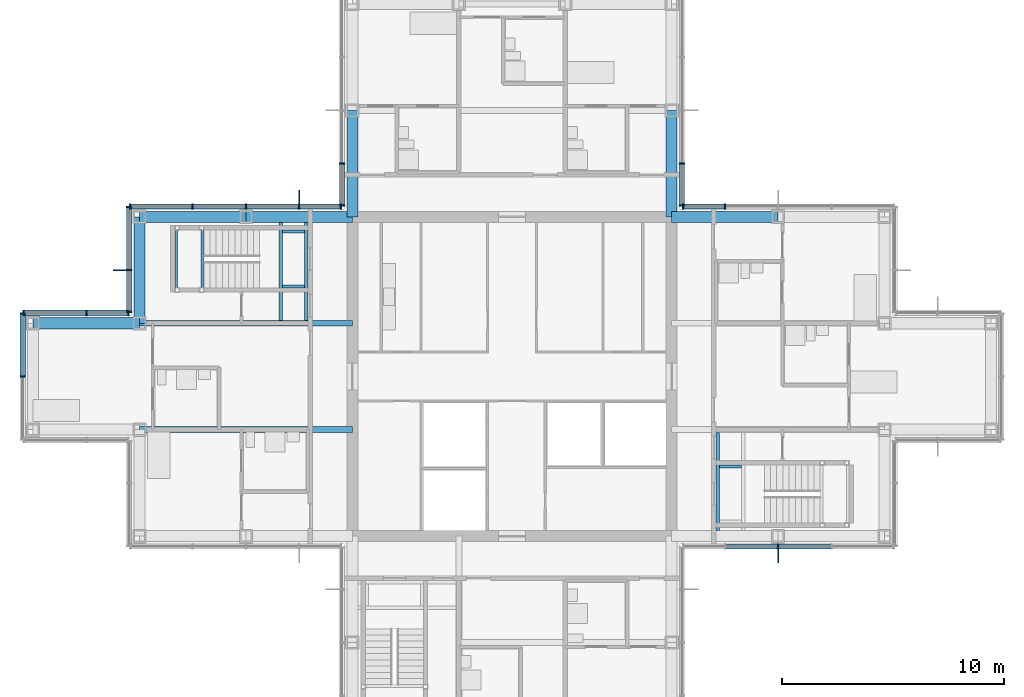
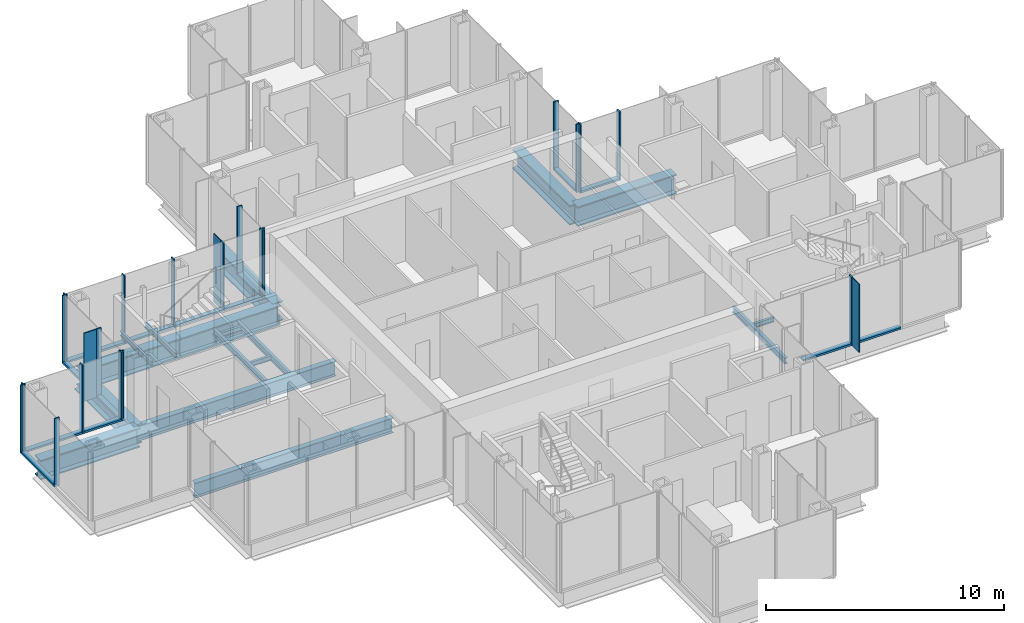
# One storey, part 7 of 17: 37 members, 17 beams, 8 elements without a shape of their own.
"""IFC4 building model written with IfcOpenShell, lengths in metres."""

from ifc_helpers import new_model, si_unit, direction, frame, origin, origin_2d, place, context, subcontext, project, spatial, rectangle, i_section, extrude, material, material_profile, profile_set, type_object, element, aggregate, save


model = new_model("IFC4")

# Units and contexts
model_context = context("Model", 3, precision=1e-05, world=origin(), true_north=direction((0.0, 1.0)))
body_context = subcontext(model_context, "Body", "Model", "MODEL_VIEW")
ifc_project = project(units=[si_unit("LENGTHUNIT", "METRE"), si_unit("AREAUNIT", "SQUARE_METRE"), si_unit("VOLUMEUNIT", "CUBIC_METRE"), si_unit("PLANEANGLEUNIT", "RADIAN"), si_unit("MASSUNIT", "GRAM", prefix="KILO")], contexts=[model_context])

# Site, building, storey
site_placement = place(None, origin())
site = spatial("IfcSite", under=ifc_project, at=site_placement, CompositionType="ELEMENT")
building_placement = place(site_placement, origin())
building = spatial("IfcBuilding", under=site, at=building_placement, Name="Kvirike Care Tower", CompositionType="ELEMENT")
storey_placement = place(building_placement, frame((0.0, 0.0, 179.5)))
storey = spatial("IfcBuildingStorey", under=building, at=storey_placement, Name="L49", CompositionType="ELEMENT", Elevation=179.5)

# Curtain wall, member
ifc_material_1 = material(Name="Anodised aluminium stick system", Category="aluminium")
curtain_wall_type = type_object("IfcCurtainWallType", Name="CW-C STICK CURTAIN WALL", PredefinedType="NOTDEFINED", material=ifc_material_1)
curtain_wall_1_placement = place(storey_placement, origin())
curtain_wall_1 = element("IfcCurtainWall", 1, at=curtain_wall_1_placement, inside=storey, type_object=curtain_wall_type, Name="Curtain wall L49 face 1", PredefinedType="NOTDEFINED")
ifc_material_2 = material(Name="Bronze anodised aluminium fin", Category="aluminium")
ifc_material_profile_1 = material_profile(ifc_material_2, rectangle(XDim=0.050048828125, YDim=0.60009765625, at=origin_2d()), Name="BRONZE FIN 600")
ifc_profile_set_1 = profile_set([ifc_material_profile_1], Name="Bronze anodised aluminium fin")
member_type_1 = type_object("IfcMemberType", Name="BRONZE FIN 600", PredefinedType="USERDEFINED", material=ifc_profile_set_1)
member_1_placement = place(storey_placement, frame((33.60009765625, 27.909912109375, 0.0), z_axis=(0.0, 0.0, 1.0), x_axis=(1.0, 0.0, 0.0)))
member_1 = element("IfcMember", 2, at=member_1_placement, type_object=member_type_1, Name="Bronze fin L49 face 1.3", ObjectType="FIN", PredefinedType="USERDEFINED", context=body_context, shape_type="SweptSolid", body=[
    extrude(rectangle(XDim=0.050048828125, YDim=0.60009765625, at=origin_2d()), origin(), (0.0, 0.0, 1.0), 3.5),
])

curtain_wall_2_placement = place(storey_placement, origin())
curtain_wall_2 = element("IfcCurtainWall", 3, at=curtain_wall_2_placement, inside=storey, type_object=curtain_wall_type, Name="Curtain wall L49 face 15", PredefinedType="NOTDEFINED")
member_2_placement = place(storey_placement, frame((12.0, 44.090087890625, 0.0), z_axis=(0.0, 0.0, 1.0), x_axis=(-1.0, 0.0, 0.0)))
member_2 = element("IfcMember", 4, at=member_2_placement, type_object=member_type_1, Name="Bronze fin L49 face 15.2", ObjectType="FIN", PredefinedType="USERDEFINED", context=body_context, shape_type="SweptSolid", body=[
    extrude(rectangle(XDim=0.050048828125, YDim=0.60009765625, at=origin_2d()), origin(), (0.0, 0.0, 1.0), 3.5),
])

curtain_wall_3_placement = place(storey_placement, origin())
curtain_wall_3 = element("IfcCurtainWall", 5, at=curtain_wall_3_placement, inside=storey, type_object=curtain_wall_type, Name="Curtain wall L49 face 16", PredefinedType="NOTDEFINED")
member_3_placement = place(storey_placement, frame((3.909912109375, 40.800048828125, 0.0), z_axis=(0.0, 0.0, 1.0), x_axis=(0.0, -1.0, 0.0)))
member_3 = element("IfcMember", 6, at=member_3_placement, type_object=member_type_1, Name="Bronze fin L49 face 16.2", ObjectType="FIN", PredefinedType="USERDEFINED", context=body_context, shape_type="SweptSolid", body=[
    extrude(rectangle(XDim=0.050048828125, YDim=0.60009765625, at=origin_2d()), origin(), (0.0, 0.0, 1.0), 3.5),
])

# Member
ifc_material_3 = material(Name="Bronze anodised aluminium mullion", Category="aluminium")
ifc_material_profile_2 = material_profile(ifc_material_3, rectangle(XDim=0.06494140625, YDim=0.239990234375, at=origin_2d()), Name="CW-C MULLION 65x240")
ifc_profile_set_2 = profile_set([ifc_material_profile_2], Name="Bronze anodised aluminium mullion")
member_type_2 = type_object("IfcMemberType", Name="CW-C MULLION 65x240", PredefinedType="MULLION", material=ifc_profile_set_2)
member_4_placement = place(storey_placement, frame((33.60009765625, 28.330078125, 0.0), z_axis=(0.0, 0.0, 1.0), x_axis=(1.0, 0.0, 0.0)))
member_4 = element("IfcMember", 7, at=member_4_placement, type_object=member_type_2, Name="CW-C mullion L49 face 1.3", PredefinedType="MULLION", context=body_context, shape_type="SweptSolid", body=[
    extrude(rectangle(XDim=0.06494140625, YDim=0.239990234375, at=origin_2d()), origin(), (0.0, 0.0, 1.0), 3.5),
])

# Curtain wall, members
curtain_wall_4_placement = place(storey_placement, origin())
curtain_wall_4 = element("IfcCurtainWall", 8, at=curtain_wall_4_placement, inside=storey, type_object=curtain_wall_type, Name="Curtain wall L49 face 7", PredefinedType="NOTDEFINED")
member_5_placement = place(storey_placement, frame((31.199951171875, 43.669921875, 0.0), z_axis=(0.0, 0.0, 1.0), x_axis=(-1.0, 0.0, 0.0)))
member_5 = element("IfcMember", 9, at=member_5_placement, type_object=member_type_2, Name="CW-C mullion L49 face 7.4", PredefinedType="MULLION", context=body_context, shape_type="SweptSolid", body=[
    extrude(rectangle(XDim=0.06494140625, YDim=0.239990234375, at=origin_2d()), origin(), (0.0, 0.0, 1.0), 3.5),
])
member_6_placement = place(storey_placement, frame((29.302490234375, 43.669921875, 0.0), z_axis=(0.0, 0.0, 1.0), x_axis=(-1.0, 0.0, 0.0)))
member_6 = element("IfcMember", 10, at=member_6_placement, type_object=member_type_2, Name="CW-C mullion L49 face 7.5", PredefinedType="MULLION", context=body_context, shape_type="SweptSolid", body=[
    extrude(rectangle(XDim=0.06494140625, YDim=0.239990234375, at=origin_2d()), origin(), (0.0, 0.0, 1.0), 3.5),
])

curtain_wall_5_placement = place(storey_placement, origin())
curtain_wall_5 = element("IfcCurtainWall", 11, at=curtain_wall_5_placement, inside=storey, type_object=curtain_wall_type, Name="Curtain wall L49 face 8", PredefinedType="NOTDEFINED")
member_7_placement = place(storey_placement, frame((29.27001953125, 43.702392578125, 0.0), z_axis=(0.0, 0.0, 1.0), x_axis=(0.0, 1.0, 0.0)))
member_7 = element("IfcMember", 12, at=member_7_placement, type_object=member_type_2, Name="CW-C mullion L49 face 8.1", PredefinedType="MULLION", context=body_context, shape_type="SweptSolid", body=[
    extrude(rectangle(XDim=0.06494140625, YDim=0.239990234375, at=origin_2d()), origin(), (0.0, 0.0, 1.0), 3.5),
])
member_8_placement = place(storey_placement, frame((29.27001953125, 45.60009765625, 0.0), z_axis=(0.0, 0.0, 1.0), x_axis=(0.0, 1.0, 0.0)))
member_8 = element("IfcMember", 13, at=member_8_placement, type_object=member_type_2, Name="CW-C mullion L49 face 8.2", PredefinedType="MULLION", context=body_context, shape_type="SweptSolid", body=[
    extrude(rectangle(XDim=0.06494140625, YDim=0.239990234375, at=origin_2d()), origin(), (0.0, 0.0, 1.0), 3.5),
])

curtain_wall_6_placement = place(storey_placement, origin())
curtain_wall_6 = element("IfcCurtainWall", 14, at=curtain_wall_6_placement, inside=storey, type_object=curtain_wall_type, Name="Curtain wall L49 face 14", PredefinedType="NOTDEFINED")
member_9_placement = place(storey_placement, frame((13.929931640625, 45.60009765625, 0.0), z_axis=(0.0, 0.0, 1.0), x_axis=(0.0, -1.0, 0.0)))
member_9 = element("IfcMember", 15, at=member_9_placement, type_object=member_type_2, Name="CW-C mullion L49 face 14.4", PredefinedType="MULLION", context=body_context, shape_type="SweptSolid", body=[
    extrude(rectangle(XDim=0.06494140625, YDim=0.239990234375, at=origin_2d()), origin(), (0.0, 0.0, 1.0), 3.5),
])
member_10_placement = place(storey_placement, frame((13.929931640625, 43.702392578125, 0.0), z_axis=(0.0, 0.0, 1.0), x_axis=(0.0, -1.0, 0.0)))
member_10 = element("IfcMember", 16, at=member_10_placement, type_object=member_type_2, Name="CW-C mullion L49 face 14.5", PredefinedType="MULLION", context=body_context, shape_type="SweptSolid", body=[
    extrude(rectangle(XDim=0.06494140625, YDim=0.239990234375, at=origin_2d()), origin(), (0.0, 0.0, 1.0), 3.5),
])

# Member
member_11_placement = place(storey_placement, frame((13.8974609375, 43.669921875, 0.0), z_axis=(0.0, 0.0, 1.0), x_axis=(-1.0, 0.0, 0.0)))
member_11 = element("IfcMember", 17, at=member_11_placement, type_object=member_type_2, Name="CW-C mullion L49 face 15.1", PredefinedType="MULLION", context=body_context, shape_type="SweptSolid", body=[
    extrude(rectangle(XDim=0.06494140625, YDim=0.239990234375, at=origin_2d()), origin(), (0.0, 0.0, 1.0), 3.5),
])

member_12_placement = place(storey_placement, frame((12.0, 43.669921875, 0.0), z_axis=(0.0, 0.0, 1.0), x_axis=(-1.0, 0.0, 0.0)))
member_12 = element("IfcMember", 18, at=member_12_placement, type_object=member_type_2, Name="CW-C mullion L49 face 15.2", PredefinedType="MULLION", context=body_context, shape_type="SweptSolid", body=[
    extrude(rectangle(XDim=0.06494140625, YDim=0.239990234375, at=origin_2d()), origin(), (0.0, 0.0, 1.0), 3.5),
])

member_13_placement = place(storey_placement, frame((9.60009765625, 43.669921875, 0.0), z_axis=(0.0, 0.0, 1.0), x_axis=(-1.0, 0.0, 0.0)))
member_13 = element("IfcMember", 19, at=member_13_placement, type_object=member_type_2, Name="CW-C mullion L49 face 15.3", PredefinedType="MULLION", context=body_context, shape_type="SweptSolid", body=[
    extrude(rectangle(XDim=0.06494140625, YDim=0.239990234375, at=origin_2d()), origin(), (0.0, 0.0, 1.0), 3.5),
])

member_14_placement = place(storey_placement, frame((7.199951171875, 43.669921875, 0.0), z_axis=(0.0, 0.0, 1.0), x_axis=(-1.0, 0.0, 0.0)))
member_14 = element("IfcMember", 20, at=member_14_placement, type_object=member_type_2, Name="CW-C mullion L49 face 15.4", PredefinedType="MULLION", context=body_context, shape_type="SweptSolid", body=[
    extrude(rectangle(XDim=0.06494140625, YDim=0.239990234375, at=origin_2d()), origin(), (0.0, 0.0, 1.0), 3.5),
])

member_15_placement = place(storey_placement, frame((4.362548828125, 43.669921875, 0.0), z_axis=(0.0, 0.0, 1.0), x_axis=(-1.0, 0.0, 0.0)))
member_15 = element("IfcMember", 21, at=member_15_placement, type_object=member_type_2, Name="CW-C mullion L49 face 15.5", PredefinedType="MULLION", context=body_context, shape_type="SweptSolid", body=[
    extrude(rectangle(XDim=0.06494140625, YDim=0.239990234375, at=origin_2d()), origin(), (0.0, 0.0, 1.0), 3.5),
])

member_16_placement = place(storey_placement, frame((4.330078125, 43.637451171875, 0.0), z_axis=(0.0, 0.0, 1.0), x_axis=(0.0, -1.0, 0.0)))
member_16 = element("IfcMember", 22, at=member_16_placement, type_object=member_type_2, Name="CW-C mullion L49 face 16.1", PredefinedType="MULLION", context=body_context, shape_type="SweptSolid", body=[
    extrude(rectangle(XDim=0.06494140625, YDim=0.239990234375, at=origin_2d()), origin(), (0.0, 0.0, 1.0), 3.5),
])

member_17_placement = place(storey_placement, frame((4.330078125, 40.800048828125, 0.0), z_axis=(0.0, 0.0, 1.0), x_axis=(0.0, -1.0, 0.0)))
member_17 = element("IfcMember", 23, at=member_17_placement, type_object=member_type_2, Name="CW-C mullion L49 face 16.2", PredefinedType="MULLION", context=body_context, shape_type="SweptSolid", body=[
    extrude(rectangle(XDim=0.06494140625, YDim=0.239990234375, at=origin_2d()), origin(), (0.0, 0.0, 1.0), 3.5),
])

member_18_placement = place(storey_placement, frame((4.330078125, 38.902587890625, 0.0), z_axis=(0.0, 0.0, 1.0), x_axis=(0.0, -1.0, 0.0)))
member_18 = element("IfcMember", 24, at=member_18_placement, type_object=member_type_2, Name="CW-C mullion L49 face 16.3", PredefinedType="MULLION", context=body_context, shape_type="SweptSolid", body=[
    extrude(rectangle(XDim=0.06494140625, YDim=0.239990234375, at=origin_2d()), origin(), (0.0, 0.0, 1.0), 3.5),
])

# Curtain wall, members
curtain_wall_7_placement = place(storey_placement, origin())
curtain_wall_7 = element("IfcCurtainWall", 25, at=curtain_wall_7_placement, inside=storey, type_object=curtain_wall_type, Name="Curtain wall L49 face 17", PredefinedType="NOTDEFINED")
member_19_placement = place(storey_placement, frame((4.297607421875, 38.8701171875, 0.0), z_axis=(0.0, 0.0, 1.0), x_axis=(-1.0, 0.0, 0.0)))
member_19 = element("IfcMember", 26, at=member_19_placement, type_object=member_type_2, Name="CW-C mullion L49 face 17.1", PredefinedType="MULLION", context=body_context, shape_type="SweptSolid", body=[
    extrude(rectangle(XDim=0.06494140625, YDim=0.239990234375, at=origin_2d()), origin(), (0.0, 0.0, 1.0), 3.5),
])
member_20_placement = place(storey_placement, frame((2.39990234375, 38.8701171875, 0.0), z_axis=(0.0, 0.0, 1.0), x_axis=(-1.0, 0.0, 0.0)))
member_20 = element("IfcMember", 27, at=member_20_placement, type_object=member_type_2, Name="CW-C mullion L49 face 17.2", PredefinedType="MULLION", context=body_context, shape_type="SweptSolid", body=[
    extrude(rectangle(XDim=0.06494140625, YDim=0.239990234375, at=origin_2d()), origin(), (0.0, 0.0, 1.0), 3.5),
])
member_21_placement = place(storey_placement, frame((-0.4375, 38.8701171875, 0.0), z_axis=(0.0, 0.0, 1.0), x_axis=(-1.0, 0.0, 0.0)))
member_21 = element("IfcMember", 28, at=member_21_placement, type_object=member_type_2, Name="CW-C mullion L49 face 17.3", PredefinedType="MULLION", context=body_context, shape_type="SweptSolid", body=[
    extrude(rectangle(XDim=0.06494140625, YDim=0.239990234375, at=origin_2d()), origin(), (0.0, 0.0, 1.0), 3.5),
])

curtain_wall_8_placement = place(storey_placement, origin())
curtain_wall_8 = element("IfcCurtainWall", 29, at=curtain_wall_8_placement, inside=storey, type_object=curtain_wall_type, Name="Curtain wall L49 face 18", PredefinedType="NOTDEFINED")
member_22_placement = place(storey_placement, frame((-0.469970703125, 38.83740234375, 0.0), z_axis=(0.0, 0.0, 1.0), x_axis=(0.0, -1.0, 0.0)))
member_22 = element("IfcMember", 30, at=member_22_placement, type_object=member_type_2, Name="CW-C mullion L49 face 18.1", PredefinedType="MULLION", context=body_context, shape_type="SweptSolid", body=[
    extrude(rectangle(XDim=0.06494140625, YDim=0.239990234375, at=origin_2d()), origin(), (0.0, 0.0, 1.0), 3.5),
])
member_23_placement = place(storey_placement, frame((-0.469970703125, 36.0, 0.0), z_axis=(0.0, 0.0, 1.0), x_axis=(0.0, -1.0, 0.0)))
member_23 = element("IfcMember", 31, at=member_23_placement, type_object=member_type_2, Name="CW-C mullion L49 face 18.2", PredefinedType="MULLION", context=body_context, shape_type="SweptSolid", body=[
    extrude(rectangle(XDim=0.06494140625, YDim=0.239990234375, at=origin_2d()), origin(), (0.0, 0.0, 1.0), 3.5),
])

# Member
ifc_material_4 = material(Name="Bronze anodised aluminium transom", Category="aluminium")
ifc_material_profile_3 = material_profile(ifc_material_4, rectangle(XDim=0.239990234375, YDim=0.10009765625, at=origin_2d()), Name="CW-C TRANSOM 240x100")
ifc_profile_set_3 = profile_set([ifc_material_profile_3], Name="Bronze anodised aluminium transom")
member_type_3 = type_object("IfcMemberType", Name="CW-C TRANSOM 240x100", PredefinedType="USERDEFINED", material=ifc_profile_set_3)
member_24_placement = place(storey_placement, frame((31.232421875, 28.330078125, 0.050048828125), z_axis=(1.0, 0.0, 0.0), x_axis=(0.0, 1.0, 0.0)))
member_24 = element("IfcMember", 32, at=member_24_placement, type_object=member_type_3, Name="CW-C sill transom L49 face 1.2", ObjectType="TRANSOM", PredefinedType="USERDEFINED", context=body_context, shape_type="SweptSolid", body=[
    extrude(rectangle(XDim=0.239990234375, YDim=0.10009765625, at=origin_2d()), origin(), (0.0, 0.0, 1.0), 2.3349609375),
])

member_25_placement = place(storey_placement, frame((33.632568359375, 28.330078125, 0.050048828125), z_axis=(1.0, 0.0, 0.0), x_axis=(0.0, 1.0, 0.0)))
member_25 = element("IfcMember", 33, at=member_25_placement, type_object=member_type_3, Name="CW-C sill transom L49 face 1.3", ObjectType="TRANSOM", PredefinedType="USERDEFINED", context=body_context, shape_type="SweptSolid", body=[
    extrude(rectangle(XDim=0.239990234375, YDim=0.10009765625, at=origin_2d()), origin(), (0.0, 0.0, 1.0), 2.3349609375),
])

aggregate(curtain_wall_1, [member_4, member_1, member_24, member_25])

member_26_placement = place(storey_placement, frame((31.16748046875, 43.669921875, 0.050048828125), z_axis=(-1.0, 0.0, 0.0), x_axis=(0.0, -1.0, 0.0)))
member_26 = element("IfcMember", 34, at=member_26_placement, type_object=member_type_3, Name="CW-C sill transom L49 face 7.4", ObjectType="TRANSOM", PredefinedType="USERDEFINED", context=body_context, shape_type="SweptSolid", body=[
    extrude(rectangle(XDim=0.239990234375, YDim=0.10009765625, at=origin_2d()), origin(), (0.0, 0.0, 1.0), 1.83251953125),
])

aggregate(curtain_wall_4, [member_5, member_6, member_26])

member_27_placement = place(storey_placement, frame((29.27001953125, 43.735107421875, 0.050048828125), z_axis=(0.0, 1.0, 0.0), x_axis=(-1.0, 0.0, 0.0)))
member_27 = element("IfcMember", 35, at=member_27_placement, type_object=member_type_3, Name="CW-C sill transom L49 face 8.1", ObjectType="TRANSOM", PredefinedType="USERDEFINED", context=body_context, shape_type="SweptSolid", body=[
    extrude(rectangle(XDim=0.239990234375, YDim=0.10009765625, at=origin_2d()), origin(), (0.0, 0.0, 1.0), 1.832275390625),
])

aggregate(curtain_wall_5, [member_7, member_8, member_27])

member_28_placement = place(storey_placement, frame((13.929931640625, 45.5673828125, 0.050048828125), z_axis=(0.0, -1.0, 0.0), x_axis=(1.0, 0.0, 0.0)))
member_28 = element("IfcMember", 36, at=member_28_placement, type_object=member_type_3, Name="CW-C sill transom L49 face 14.4", ObjectType="TRANSOM", PredefinedType="USERDEFINED", context=body_context, shape_type="SweptSolid", body=[
    extrude(rectangle(XDim=0.239990234375, YDim=0.10009765625, at=origin_2d()), origin(), (0.0, 0.0, 1.0), 1.832275390625),
])

aggregate(curtain_wall_6, [member_9, member_10, member_28])

member_29_placement = place(storey_placement, frame((13.864990234375, 43.669921875, 0.050048828125), z_axis=(-1.0, 0.0, 0.0), x_axis=(0.0, -1.0, 0.0)))
member_29 = element("IfcMember", 37, at=member_29_placement, type_object=member_type_3, Name="CW-C sill transom L49 face 15.1", ObjectType="TRANSOM", PredefinedType="USERDEFINED", context=body_context, shape_type="SweptSolid", body=[
    extrude(rectangle(XDim=0.239990234375, YDim=0.10009765625, at=origin_2d()), origin(), (0.0, 0.0, 1.0), 1.83251953125),
])

member_30_placement = place(storey_placement, frame((11.967529296875, 43.669921875, 0.050048828125), z_axis=(-1.0, 0.0, 0.0), x_axis=(0.0, -1.0, 0.0)))
member_30 = element("IfcMember", 38, at=member_30_placement, type_object=member_type_3, Name="CW-C sill transom L49 face 15.2", ObjectType="TRANSOM", PredefinedType="USERDEFINED", context=body_context, shape_type="SweptSolid", body=[
    extrude(rectangle(XDim=0.239990234375, YDim=0.10009765625, at=origin_2d()), origin(), (0.0, 0.0, 1.0), 2.3349609375),
])

member_31_placement = place(storey_placement, frame((9.5673828125, 43.669921875, 0.050048828125), z_axis=(-1.0, 0.0, 0.0), x_axis=(0.0, -1.0, 0.0)))
member_31 = element("IfcMember", 39, at=member_31_placement, type_object=member_type_3, Name="CW-C sill transom L49 face 15.3", ObjectType="TRANSOM", PredefinedType="USERDEFINED", context=body_context, shape_type="SweptSolid", body=[
    extrude(rectangle(XDim=0.239990234375, YDim=0.10009765625, at=origin_2d()), origin(), (0.0, 0.0, 1.0), 2.3349609375),
])

member_32_placement = place(storey_placement, frame((7.16748046875, 43.669921875, 0.050048828125), z_axis=(-1.0, 0.0, 0.0), x_axis=(0.0, -1.0, 0.0)))
member_32 = element("IfcMember", 40, at=member_32_placement, type_object=member_type_3, Name="CW-C sill transom L49 face 15.4", ObjectType="TRANSOM", PredefinedType="USERDEFINED", context=body_context, shape_type="SweptSolid", body=[
    extrude(rectangle(XDim=0.239990234375, YDim=0.10009765625, at=origin_2d()), origin(), (0.0, 0.0, 1.0), 2.7724609375),
])

aggregate(curtain_wall_2, [member_11, member_12, member_2, member_13, member_14, member_15, member_29, member_30, member_31, member_32])

member_33_placement = place(storey_placement, frame((4.330078125, 43.60498046875, 0.050048828125), z_axis=(0.0, -1.0, 0.0), x_axis=(1.0, 0.0, 0.0)))
member_33 = element("IfcMember", 41, at=member_33_placement, type_object=member_type_3, Name="CW-C sill transom L49 face 16.1", ObjectType="TRANSOM", PredefinedType="USERDEFINED", context=body_context, shape_type="SweptSolid", body=[
    extrude(rectangle(XDim=0.239990234375, YDim=0.10009765625, at=origin_2d()), origin(), (0.0, 0.0, 1.0), 2.7724609375),
])

member_34_placement = place(storey_placement, frame((4.330078125, 40.767578125, 0.050048828125), z_axis=(0.0, -1.0, 0.0), x_axis=(1.0, 0.0, 0.0)))
member_34 = element("IfcMember", 42, at=member_34_placement, type_object=member_type_3, Name="CW-C sill transom L49 face 16.2", ObjectType="TRANSOM", PredefinedType="USERDEFINED", context=body_context, shape_type="SweptSolid", body=[
    extrude(rectangle(XDim=0.239990234375, YDim=0.10009765625, at=origin_2d()), origin(), (0.0, 0.0, 1.0), 1.83251953125),
])

aggregate(curtain_wall_3, [member_16, member_17, member_3, member_18, member_33, member_34])

member_35_placement = place(storey_placement, frame((4.264892578125, 38.8701171875, 0.050048828125), z_axis=(-1.0, 0.0, 0.0), x_axis=(0.0, -1.0, 0.0)))
member_35 = element("IfcMember", 43, at=member_35_placement, type_object=member_type_3, Name="CW-C sill transom L49 face 17.1", ObjectType="TRANSOM", PredefinedType="USERDEFINED", context=body_context, shape_type="SweptSolid", body=[
    extrude(rectangle(XDim=0.239990234375, YDim=0.10009765625, at=origin_2d()), origin(), (0.0, 0.0, 1.0), 1.832275390625),
])

member_36_placement = place(storey_placement, frame((2.367431640625, 38.8701171875, 0.050048828125), z_axis=(-1.0, 0.0, 0.0), x_axis=(0.0, -1.0, 0.0)))
member_36 = element("IfcMember", 44, at=member_36_placement, type_object=member_type_3, Name="CW-C sill transom L49 face 17.2", ObjectType="TRANSOM", PredefinedType="USERDEFINED", context=body_context, shape_type="SweptSolid", body=[
    extrude(rectangle(XDim=0.239990234375, YDim=0.10009765625, at=origin_2d()), origin(), (0.0, 0.0, 1.0), 2.7724609375),
])

aggregate(curtain_wall_7, [member_19, member_20, member_21, member_35, member_36])

member_37_placement = place(storey_placement, frame((-0.469970703125, 38.804931640625, 0.050048828125), z_axis=(0.0, -1.0, 0.0), x_axis=(1.0, 0.0, 0.0)))
member_37 = element("IfcMember", 45, at=member_37_placement, type_object=member_type_3, Name="CW-C sill transom L49 face 18.1", ObjectType="TRANSOM", PredefinedType="USERDEFINED", context=body_context, shape_type="SweptSolid", body=[
    extrude(rectangle(XDim=0.239990234375, YDim=0.10009765625, at=origin_2d()), origin(), (0.0, 0.0, 1.0), 2.7724609375),
])

aggregate(curtain_wall_8, [member_22, member_23, member_37])

# Beams
ifc_material_5 = material(Name="Steel S355", Category="steel")
ifc_material_profile_4 = material_profile(ifc_material_5, i_section(OverallWidth=0.26806640625, OverallDepth=0.77001953125, WebThickness=0.015625, FlangeThickness=0.025390625, FilletRadius=0.01708984375, at=origin_2d()), Name="IPE 750x196")
ifc_profile_set_4 = profile_set([ifc_material_profile_4], Name="Steel S355")
beam_type_1 = type_object("IfcBeamType", Name="FLOOR BEAM IPE 750x196", PredefinedType="BEAM", material=ifc_profile_set_4)
for number, where, z_axis, x_axis, name in (
    (46, (4.800048828125, 33.60009765625, -0.554931640625), (1.0, 0.0, 0.0), (0.0, 1.0, 0.0), "Floor Beam H4-H6 L49"),
    (47, (4.800048828125, 38.39990234375, -0.554931640625), (1.0, 0.0, 0.0), (0.0, 1.0, 0.0), "Floor Beam J4-J6 L49"),
):
    element("IfcBeam", number, at=place(storey_placement, frame(where, z_axis=z_axis, x_axis=x_axis)), inside=storey, type_object=beam_type_1, Name=name, PredefinedType="BEAM", context=body_context, shape_type="SweptSolid", body=[
        extrude(i_section(OverallWidth=0.26806640625, OverallDepth=0.77001953125, WebThickness=0.015625, FlangeThickness=0.025390625, FilletRadius=0.01708984375, at=origin_2d()), origin(), (0.0, 0.0, 1.0), 9.599853515625),
    ])
ifc_material_6 = material(Name="Steel S355", Category="steel")
ifc_material_profile_5 = material_profile(ifc_material_6, i_section(OverallWidth=0.5, OverallDepth=1.0, WebThickness=0.030029296875, FlangeThickness=0.06005859375, at=origin_2d()), Name="PG 1000x500x30x60")
ifc_profile_set_5 = profile_set([ifc_material_profile_5], Name="Steel S355")
beam_type_2 = type_object("IfcBeamType", Name="SPANDREL PG 1000x500x30x60", PredefinedType="SPANDREL", material=ifc_profile_set_5)
for number, where, z_axis, x_axis, name in (
    (48, (0.0, 38.39990234375, -0.669921875), (1.0, 0.0, 0.0), (0.0, 1.0, 0.0), "Spandrel J3-J4 L49"),
    (49, (4.800048828125, 43.199951171875, -0.669921875), (1.0, 0.0, 0.0), (0.0, 1.0, 0.0), "Spandrel K4-K5 L49"),
):
    element("IfcBeam", number, at=place(storey_placement, frame(where, z_axis=z_axis, x_axis=x_axis)), inside=storey, type_object=beam_type_2, Name=name, PredefinedType="SPANDREL", context=body_context, shape_type="SweptSolid", body=[
        extrude(i_section(OverallWidth=0.5, OverallDepth=1.0, WebThickness=0.030029296875, FlangeThickness=0.06005859375, at=origin_2d()), origin(), (0.0, 0.0, 1.0), 4.800048828125),
    ])
beam_placement = place(storey_placement, frame((9.60009765625, 43.199951171875, -0.669921875), z_axis=(1.0, 0.0, 0.0), x_axis=(0.0, 1.0, 0.0)))
element("IfcBeam", 50, at=beam_placement, inside=storey, type_object=beam_type_2, Name="Spandrel K5-K6 L49", PredefinedType="SPANDREL", context=body_context, shape_type="SweptSolid", body=[
    extrude(i_section(OverallWidth=0.5, OverallDepth=1.0, WebThickness=0.030029296875, FlangeThickness=0.06005859375, at=origin_2d()), origin(), (0.0, 0.0, 1.0), 4.7998046875),
])
for number, where, z_axis, x_axis, name in (
    (51, (28.800048828125, 43.199951171875, -0.669921875), (1.0, 0.0, 0.0), (0.0, 1.0, 0.0), "Spandrel K9-K10 L49"),
    (52, (4.800048828125, 38.39990234375, -0.669921875), (0.0, 1.0, 0.0), (-1.0, 0.0, 0.0), "Spandrel J4-K4 L49"),
    (53, (14.39990234375, 43.199951171875, -0.669921875), (0.0, 1.0, 0.0), (-1.0, 0.0, 0.0), "Spandrel K6-L6 L49"),
    (54, (28.800048828125, 43.199951171875, -0.669921875), (0.0, 1.0, 0.0), (-1.0, 0.0, 0.0), "Spandrel K9-L9 L49"),
):
    element("IfcBeam", number, at=place(storey_placement, frame(where, z_axis=z_axis, x_axis=x_axis)), inside=storey, type_object=beam_type_2, Name=name, PredefinedType="SPANDREL", context=body_context, shape_type="SweptSolid", body=[
        extrude(i_section(OverallWidth=0.5, OverallDepth=1.0, WebThickness=0.030029296875, FlangeThickness=0.06005859375, at=origin_2d()), origin(), (0.0, 0.0, 1.0), 4.800048828125),
    ])
ifc_material_7 = material(Name="Steel S355", Category="steel")
ifc_material_profile_6 = material_profile(ifc_material_7, i_section(OverallWidth=0.1201171875, OverallDepth=0.239990234375, WebThickness=0.006103515625, FlangeThickness=0.009765625, FilletRadius=0.014892578125, at=origin_2d()), Name="IPE 240")
ifc_profile_set_6 = profile_set([ifc_material_profile_6], Name="Steel S355")
beam_type_3 = type_object("IfcBeamType", Name="STAIR LANDING BEAM IPE 240", PredefinedType="BEAM", material=ifc_profile_set_6)
for number, where, z_axis, x_axis, name in (
    (55, (6.4599609375, 42.60009765625, 1.429931640625), (0.0, -1.0, 0.0), (1.0, 0.0, 0.0), "Stair 1 landing beam back L49"),
    (56, (7.639892578125, 42.60009765625, 1.429931640625), (0.0, -1.0, 0.0), (1.0, 0.0, 0.0), "Stair 1 landing beam front L49"),
):
    element("IfcBeam", number, at=place(storey_placement, frame(where, z_axis=z_axis, x_axis=x_axis)), inside=storey, type_object=beam_type_3, Name=name, PredefinedType="BEAM", context=body_context, shape_type="SweptSolid", body=[
        extrude(i_section(OverallWidth=0.1201171875, OverallDepth=0.239990234375, WebThickness=0.006103515625, FlangeThickness=0.009765625, FilletRadius=0.014892578125, at=origin_2d()), origin(), (0.0, 0.0, 1.0), 2.60009765625),
    ])
for number, where, z_axis, x_axis, name in (
    (57, (11.25, 42.5400390625, -0.320068359375), (1.0, 0.0, 0.0), (0.0, 1.0, 0.0), "Stair 1 landing edge beam 1 L49"),
    (58, (11.25, 40.06005859375, -0.320068359375), (1.0, 0.0, 0.0), (0.0, 1.0, 0.0), "Stair 1 landing edge beam 2 L49"),
    (59, (31.949951171875, 31.93994140625, -0.320068359375), (-1.0, 0.0, 0.0), (0.0, -1.0, 0.0), "Stair 2 landing edge beam 2 L49"),
):
    element("IfcBeam", number, at=place(storey_placement, frame(where, z_axis=z_axis, x_axis=x_axis)), inside=storey, type_object=beam_type_3, Name=name, PredefinedType="BEAM", context=body_context, shape_type="SweptSolid", body=[
        extrude(i_section(OverallWidth=0.1201171875, OverallDepth=0.239990234375, WebThickness=0.006103515625, FlangeThickness=0.009765625, FilletRadius=0.014892578125, at=origin_2d()), origin(), (0.0, 0.0, 1.0), 1.0),
    ])
ifc_material_8 = material(Name="Steel S355", Category="steel")
ifc_material_profile_7 = material_profile(ifc_material_8, i_section(OverallWidth=0.14990234375, OverallDepth=0.300048828125, WebThickness=0.007080078125, FlangeThickness=0.0107421875, FilletRadius=0.014892578125, at=origin_2d()), Name="IPE 300")
ifc_profile_set_7 = profile_set([ifc_material_profile_7], Name="Steel S355")
beam_type_4 = type_object("IfcBeamType", Name="STAIR TRIMMER IPE 300", PredefinedType="BEAM", material=ifc_profile_set_7)
for number, where, z_axis, x_axis, name in (
    (60, (11.175048828125, 42.949951171875, -0.35009765625), (0.0, -1.0, 0.0), (1.0, 0.0, 0.0), "Stair 1 trimmer 1 L49"),
    (61, (12.324951171875, 42.949951171875, -0.35009765625), (0.0, -1.0, 0.0), (1.0, 0.0, 0.0), "Stair 1 trimmer 2 L49"),
    (62, (30.875, 29.050048828125, -0.35009765625), (0.0, 1.0, 0.0), (-1.0, 0.0, 0.0), "Stair 2 trimmer 2 L49"),
):
    element("IfcBeam", number, at=place(storey_placement, frame(where, z_axis=z_axis, x_axis=x_axis)), inside=storey, type_object=beam_type_4, Name=name, PredefinedType="BEAM", context=body_context, shape_type="SweptSolid", body=[
        extrude(i_section(OverallWidth=0.14990234375, OverallDepth=0.300048828125, WebThickness=0.007080078125, FlangeThickness=0.0107421875, FilletRadius=0.014892578125, at=origin_2d()), origin(), (0.0, 0.0, 1.0), 4.416015625),
    ])

save(model, "model.ifc")
